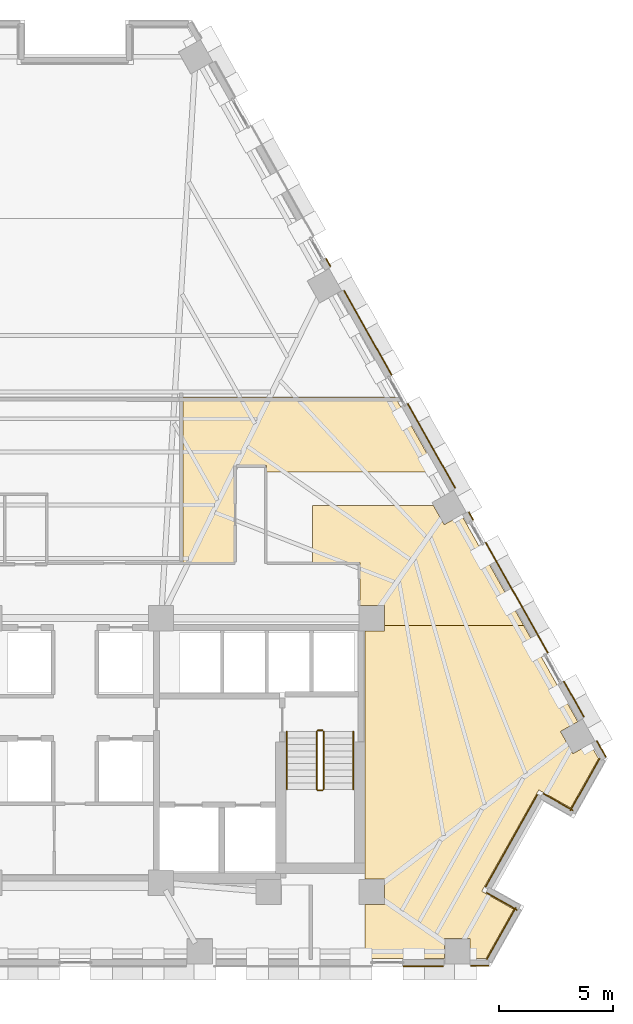
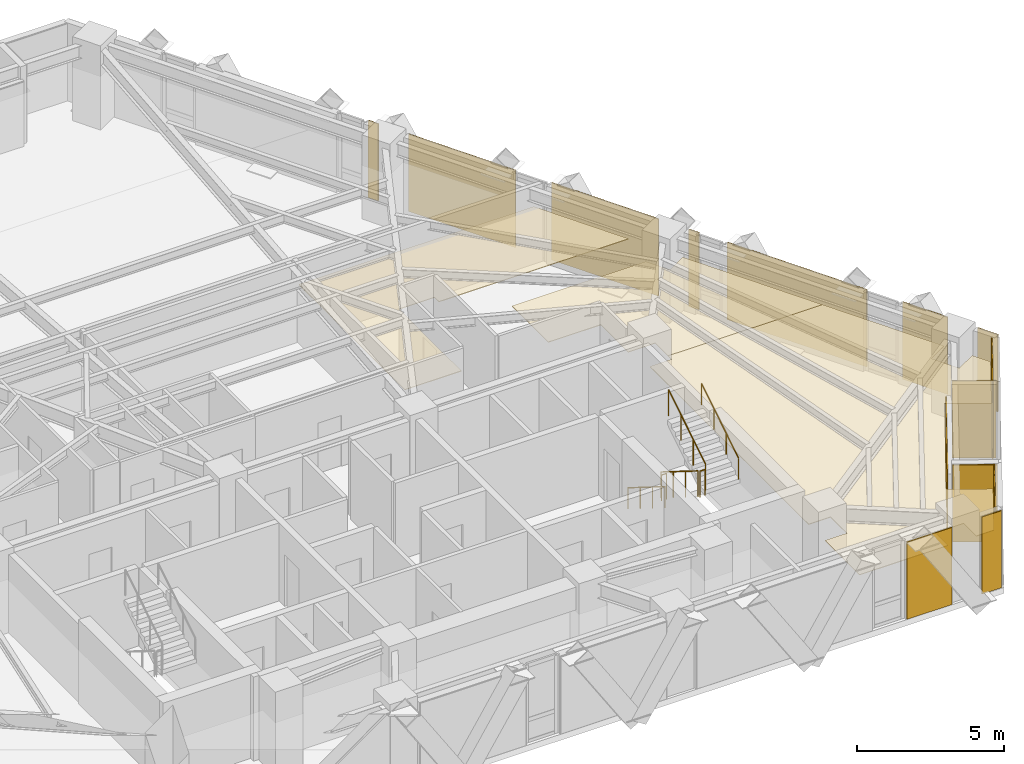
# One storey, part 12 of 13: 17 coverings, 6 railings.
"""IFC4 building model written with IfcOpenShell, lengths in metres."""

from ifc_helpers import new_model, si_unit, direction, frame, origin, origin_2d, place, context, subcontext, project, spatial, polyline, circle, outline, extrude, material, layer, layer_set, type_object, element, save


model = new_model("IFC4")

# Units and contexts
model_context = context("Model", 3, precision=1e-05, world=origin(), true_north=direction((0.0, 1.0)))
body_context = subcontext(model_context, "Body", "Model", "MODEL_VIEW")
ifc_project = project(units=[si_unit("LENGTHUNIT", "METRE"), si_unit("AREAUNIT", "SQUARE_METRE"), si_unit("VOLUMEUNIT", "CUBIC_METRE"), si_unit("PLANEANGLEUNIT", "RADIAN"), si_unit("MASSUNIT", "GRAM", prefix="KILO")], contexts=[model_context])

# Site, building, storey
site_placement = place(None, origin())
site = spatial("IfcSite", under=ifc_project, at=site_placement, CompositionType="ELEMENT")
building_placement = place(site_placement, origin())
building = spatial("IfcBuilding", under=site, at=building_placement, Name="Quenlor Broadcast Tower", CompositionType="ELEMENT")
storey_placement = place(building_placement, frame((0.0, 0.0, 119.5)))
storey = spatial("IfcBuildingStorey", under=building, at=storey_placement, Name="L32", CompositionType="ELEMENT", Elevation=119.5)

# Coverings
ifc_material_1 = material(Name="Acoustic Mineral Fibre Board", Category="other")
ifc_layer_1 = layer(ifc_material_1, 0.02490234375)
ifc_layer_set_1 = layer_set([ifc_layer_1], Name="Acoustic Perforated Mineral Tile Ceiling 25")
covering_type_1 = type_object("IfcCoveringType", Name="Acoustic Perforated Mineral Tile Ceiling 25", PredefinedType="CEILING", material=ifc_layer_set_1)
covering_1_placement = place(storey_placement, frame((0.0, 0.0, 2.22509765625)))
element("IfcCovering", 1, at=covering_1_placement, inside=storey, type_object=covering_type_1, Name="L32 Acoustic Ceiling L32-31", PredefinedType="CEILING", context=body_context, shape_type="SweptSolid", body=[
    extrude(outline(polyline([(6.949951171875, 1.8798828125), (6.949951171875, -2.3701171875), (4.719970703125, -2.3701171875), (4.719970703125, 4.860107421875), (13.976318359375, 4.860107421875), (15.8212890625, 1.580078125), (8.35009765625, 1.580078125), (8.35009765625, 1.8798828125), (6.949951171875, 1.8798828125)])), origin(), (0.0, 0.0, 1.0), 0.02490234375),
])
covering_2_placement = place(storey_placement, frame((0.0, 0.0, 2.22509765625)))
element("IfcCovering", 2, at=covering_2_placement, inside=storey, type_object=covering_type_1, Name="L32 Acoustic Ceiling L32-35", PredefinedType="CEILING", context=body_context, shape_type="SweptSolid", body=[
    extrude(outline(polyline([(13.508056640625, -4.241943359375), (12.43994140625, -4.241943359375), (12.43994140625, -2.3701171875), (10.375, -2.3701171875), (10.375, 0.11474609375), (15.6494140625, 0.11474609375), (16.1171875, -0.717041015625), (16.873779296875, -0.29150390625), (19.58984375, -5.1201171875), (13.508056640625, -5.1201171875), (13.508056640625, -4.241943359375)])), origin(), (0.0, 0.0, 1.0), 0.02490234375),
])
covering_3_placement = place(storey_placement, frame((0.0, 0.0, 2.22509765625)))
element("IfcCovering", 3, at=covering_3_placement, inside=storey, type_object=covering_type_1, Name="L32 Acoustic Ceiling L32-35-2", PredefinedType="CEILING", context=body_context, shape_type="SweptSolid", body=[
    extrude(outline(polyline([(13.508056640625, -5.1201171875), (19.58984375, -5.1201171875), (21.951416015625, -9.318115234375), (21.19482421875, -9.74365234375), (21.741943359375, -10.71630859375), (22.49853515625, -10.290771484375), (22.85693359375, -10.927978515625), (21.64453125, -13.08349609375), (20.25, -12.299072265625), (17.759521484375, -16.7265625), (19.15380859375, -17.510986328125), (17.9453125, -19.659912109375), (17.25048828125, -19.659912109375), (17.25048828125, -18.7919921875), (16.134521484375, -18.7919921875), (16.134521484375, -19.659912109375), (12.64990234375, -19.659912109375), (12.64990234375, -17.30810546875), (13.508056640625, -17.30810546875), (13.508056640625, -16.19189453125), (12.64990234375, -16.19189453125), (12.64990234375, -5.35791015625), (13.508056640625, -5.35791015625), (13.508056640625, -5.1201171875)])), origin(), (0.0, 0.0, 1.0), 0.02490234375),
])
ifc_material_2 = material(Name="Architectural Terracotta Ceramic", Category="masonry")
ifc_layer_2 = layer(ifc_material_2, 0.044921875)
ifc_layer_set_2 = layer_set([ifc_layer_2], Name="Fluted Terracotta Rainscreen Cladding Panel")
covering_type_2 = type_object("IfcCoveringType", Name="Fluted Terracotta Rainscreen Cladding Panel", PredefinedType="CLADDING", material=ifc_layer_set_2)
covering_4_placement = place(storey_placement, frame((0.0, 0.0, 0.02001953125)))
element("IfcCovering", 4, at=covering_4_placement, inside=storey, type_object=covering_type_2, Name="L32 Terracotta Rainscreen Cladding L32-SHD-SS0", PredefinedType="CLADDING", context=body_context, shape_type="SweptSolid", body=[
    extrude(outline(polyline([(18.053955078125, -19.951904296875), (17.277587890625, -19.951904296875), (17.277587890625, -19.9970703125), (18.053955078125, -19.9970703125), (18.053955078125, -19.951904296875)])), origin(), (0.0, 0.0, 1.0), 3.2099609375),
])
covering_5_placement = place(storey_placement, frame((0.0, 0.0, 0.02001953125)))
element("IfcCovering", 5, at=covering_5_placement, inside=storey, type_object=covering_type_2, Name="L32 Terracotta Rainscreen Cladding L32-SA-SP1", PredefinedType="CLADDING", context=body_context, shape_type="SweptSolid", body=[
    extrude(outline(polyline([(16.08740234375, -19.971923828125), (14.32177734375, -19.971923828125), (14.32177734375, -20.01708984375), (16.08740234375, -20.01708984375), (16.08740234375, -19.971923828125)])), origin(), (0.0, 0.0, 1.0), 3.2099609375),
])
covering_6_placement = place(storey_placement, frame((0.0, 0.0, 0.02001953125)))
element("IfcCovering", 6, at=covering_6_placement, inside=storey, type_object=covering_type_2, Name="L32 Terracotta Rainscreen Cladding L32-SHD-NES1", PredefinedType="CLADDING", context=body_context, shape_type="SweptSolid", body=[
    extrude(outline(polyline([(22.76611328125, -10.171142578125), (23.160888671875, -10.873046875), (23.2001953125, -10.85107421875), (22.805419921875, -10.149169921875), (22.76611328125, -10.171142578125)])), origin(), (0.0, 0.0, 1.0), 3.2099609375),
])
covering_7_placement = place(storey_placement, frame((0.0, 0.0, 0.02001953125)))
element("IfcCovering", 7, at=covering_7_placement, inside=storey, type_object=covering_type_2, Name="L32 Terracotta Rainscreen Cladding L32-NEA-SP3", PredefinedType="CLADDING", context=body_context, shape_type="SweptSolid", body=[
    extrude(outline(polyline([(10.936279296875, 10.900634765625), (11.13232421875, 10.552001953125), (11.171630859375, 10.57421875), (10.9755859375, 10.922607421875), (10.936279296875, 10.900634765625)])), origin(), (0.0, 0.0, 1.0), 3.2099609375),
])
covering_8_placement = place(storey_placement, frame((0.0, 0.0, 0.02001953125)))
element("IfcCovering", 8, at=covering_8_placement, inside=storey, type_object=covering_type_2, Name="L32 Terracotta Rainscreen Cladding L32-NEC-SP1", PredefinedType="CLADDING", context=body_context, shape_type="SweptSolid", body=[
    extrude(outline(polyline([(17.168701171875, -0.179443359375), (17.36474609375, -0.528076171875), (17.404052734375, -0.506103515625), (17.2080078125, -0.157470703125), (17.168701171875, -0.179443359375)])), origin(), (0.0, 0.0, 1.0), 3.2099609375),
])
covering_9_placement = place(storey_placement, frame((0.0, 0.0, 0.02001953125)))
element("IfcCovering", 9, at=covering_9_placement, inside=storey, type_object=covering_type_2, Name="L32 Terracotta Rainscreen Cladding L32-NEC-SP2", PredefinedType="CLADDING", context=body_context, shape_type="SweptSolid", body=[
    extrude(outline(polyline([(17.912841796875, -1.502197265625), (20.62744140625, -6.328369140625), (20.666748046875, -6.306396484375), (17.951904296875, -1.47998046875), (17.912841796875, -1.502197265625)])), origin(), (0.0, 0.0, 1.0), 3.2099609375),
])
covering_10_placement = place(storey_placement, frame((0.0, 0.0, 0.02001953125)))
element("IfcCovering", 10, at=covering_10_placement, inside=storey, type_object=covering_type_2, Name="L32 Terracotta Rainscreen Cladding L32-NEC-SP3", PredefinedType="CLADDING", context=body_context, shape_type="SweptSolid", body=[
    extrude(outline(polyline([(21.325927734375, -7.56982421875), (22.2001953125, -9.1240234375), (22.239501953125, -9.10205078125), (21.364990234375, -7.5478515625), (21.325927734375, -7.56982421875)])), origin(), (0.0, 0.0, 1.0), 3.2099609375),
])
covering_11_placement = place(storey_placement, frame((0.0, 0.0, 0.02001953125)))
element("IfcCovering", 11, at=covering_11_placement, inside=storey, type_object=covering_type_2, Name="L32 Terracotta Rainscreen Cladding L32-NE-SP1", PredefinedType="CLADDING", context=body_context, shape_type="SweptSolid", body=[
    extrude(outline(polyline([(11.72314453125, 9.501708984375), (13.801513671875, 5.806884765625), (13.8408203125, 5.8291015625), (11.76220703125, 9.523681640625), (11.72314453125, 9.501708984375)])), origin(), (0.0, 0.0, 1.0), 3.2099609375),
])
covering_12_placement = place(storey_placement, frame((0.0, 0.0, 0.02001953125)))
element("IfcCovering", 12, at=covering_12_placement, inside=storey, type_object=covering_type_2, Name="L32 Terracotta Rainscreen Cladding L32-NE-SP2", PredefinedType="CLADDING", context=body_context, shape_type="SweptSolid", body=[
    extrude(outline(polyline([(14.499755859375, 4.565673828125), (16.577880859375, 0.870849609375), (16.6171875, 0.892822265625), (14.538818359375, 4.587646484375), (14.499755859375, 4.565673828125)])), origin(), (0.0, 0.0, 1.0), 3.2099609375),
])
covering_13_placement = place(storey_placement, frame((0.0, 0.0, 0.02001953125)))
element("IfcCovering", 13, at=covering_13_placement, inside=storey, type_object=covering_type_2, Name="L32 Terracotta Rainscreen Cladding L32-CNR-01", PredefinedType="CLADDING", context=body_context, shape_type="SweptSolid", body=[
    extrude(outline(polyline([(19.31787109375, -17.525390625), (17.9755859375, -16.770263671875), (17.95361328125, -16.8095703125), (19.2958984375, -17.564697265625), (19.31787109375, -17.525390625)])), origin(), (0.0, 0.0, 1.0), 3.2099609375),
])
covering_14_placement = place(storey_placement, frame((0.0, 0.0, 0.02001953125)))
element("IfcCovering", 14, at=covering_14_placement, inside=storey, type_object=covering_type_2, Name="L32 Terracotta Rainscreen Cladding L32-CNR-02", PredefinedType="CLADDING", context=body_context, shape_type="SweptSolid", body=[
    extrude(outline(polyline([(17.941162109375, -16.5419921875), (20.206298828125, -12.515380859375), (20.1669921875, -12.493408203125), (17.902099609375, -16.52001953125), (17.941162109375, -16.5419921875)])), origin(), (0.0, 0.0, 1.0), 2.681884765625),
])
covering_15_placement = place(storey_placement, frame((0.0, 0.0, 0.02001953125)))
element("IfcCovering", 15, at=covering_15_placement, inside=storey, type_object=covering_type_2, Name="L32 Terracotta Rainscreen Cladding L32-CNR-03", PredefinedType="CLADDING", context=body_context, shape_type="SweptSolid", body=[
    extrude(outline(polyline([(20.4345703125, -12.48095703125), (21.741943359375, -13.21630859375), (21.763916015625, -13.177001953125), (20.45654296875, -12.441650390625), (20.4345703125, -12.48095703125)])), origin(), (0.0, 0.0, 1.0), 3.2099609375),
])
covering_16_placement = place(storey_placement, frame((0.0, 0.0, 0.02001953125)))
element("IfcCovering", 16, at=covering_16_placement, inside=storey, type_object=covering_type_2, Name="L32 Terracotta Rainscreen Cladding L32-CNR-04", PredefinedType="CLADDING", context=body_context, shape_type="SweptSolid", body=[
    extrude(outline(polyline([(21.64990234375, -13.212646484375), (22.926513671875, -10.94287109375), (22.887451171875, -10.9208984375), (21.610595703125, -13.190673828125), (21.64990234375, -13.212646484375)])), origin(), (0.0, 0.0, 1.0), 3.2099609375),
])
covering_17_placement = place(storey_placement, frame((0.0, 0.0, 0.02001953125)))
element("IfcCovering", 17, at=covering_17_placement, inside=storey, type_object=covering_type_2, Name="L32 Terracotta Rainscreen Cladding L32-CNR-18", PredefinedType="CLADDING", context=body_context, shape_type="SweptSolid", body=[
    extrude(outline(polyline([(17.991943359375, -19.71533203125), (19.26708984375, -17.448486328125), (19.227783203125, -17.426513671875), (17.952880859375, -19.693359375), (17.991943359375, -19.71533203125)])), origin(), (0.0, 0.0, 1.0), 3.2099609375),
])

# Railings
ifc_material_3 = material(Name="Anodised Aluminium", Category="aluminium")
railing_type_1 = type_object("IfcRailingType", Name="Stainless Aluminium Wall Handrail 900", PredefinedType="HANDRAIL", material=ifc_material_3)
railing_1_placement = place(storey_placement, frame((9.25, -9.75, 0.175048828125)))
element("IfcRailing", 18, at=railing_1_placement, inside=storey, type_object=railing_type_1, Name="L32 ST-2 stair handrail 1", PredefinedType="HANDRAIL", context=body_context, shape_type="SweptSolid", body=[
    extrude(circle(Radius=0.02392578125, at=origin_2d()), frame((0.0, 0.0, 0.8759765625), z_axis=(0.0, -0.848007534815, 0.529984170421), x_axis=(1.0, 0.0, 0.0)), (0.0, 0.0, 1.0), 2.9716796875),
    extrude(circle(Radius=0.02099609375, at=origin_2d()), origin(), (0.0, 0.0, 1.0), 0.851806640625),
    extrude(circle(Radius=0.02099609375, at=origin_2d()), frame((0.0, -0.840087890625, 0.52490234375)), (0.0, 0.0, 1.0), 0.851806640625),
    extrude(circle(Radius=0.02099609375, at=origin_2d()), frame((0.0, -1.679931640625, 1.050048828125)), (0.0, 0.0, 1.0), 0.851806640625),
    extrude(circle(Radius=0.02099609375, at=origin_2d()), frame((0.0, -2.52001953125, 1.574951171875)), (0.0, 0.0, 1.0), 0.851806640625),
])
railing_2_placement = place(storey_placement, frame((12.14990234375, -12.27001953125, 1.925048828125)))
element("IfcRailing", 19, at=railing_2_placement, inside=storey, type_object=railing_type_1, Name="L32 ST-2 stair handrail 2", PredefinedType="HANDRAIL", context=body_context, shape_type="SweptSolid", body=[
    extrude(circle(Radius=0.02392578125, at=origin_2d()), frame((0.0, 0.0, 0.8759765625), z_axis=(0.0, 0.848007534815, 0.529984170421), x_axis=(-1.0, 0.0, 0.0)), (0.0, 0.0, 1.0), 2.9716796875),
    extrude(circle(Radius=0.02099609375, at=origin_2d()), origin(), (0.0, 0.0, 1.0), 0.851806640625),
    extrude(circle(Radius=0.02099609375, at=origin_2d()), frame((0.0, 0.840087890625, 0.52490234375)), (0.0, 0.0, 1.0), 0.851806640625),
    extrude(circle(Radius=0.02099609375, at=origin_2d()), frame((0.0, 1.679931640625, 1.050048828125)), (0.0, 0.0, 1.0), 0.851806640625),
    extrude(circle(Radius=0.02099609375, at=origin_2d()), frame((0.0, 2.52001953125, 1.574951171875)), (0.0, 0.0, 1.0), 0.851806640625),
])
ifc_material_4 = material(Name="Steel S355", Category="steel")
railing_type_2 = type_object("IfcRailingType", Name="Tubular Steel S355 Stair Guardrail 1100", PredefinedType="BALUSTRADE", material=ifc_material_4)
railing_3_placement = place(storey_placement, frame((10.550048828125, -9.75, 0.175048828125)))
element("IfcRailing", 20, at=railing_3_placement, inside=storey, type_object=railing_type_2, Name="L32 ST-2 stair guard 1", PredefinedType="BALUSTRADE", context=body_context, shape_type="SweptSolid", body=[
    extrude(circle(Radius=0.02392578125, at=origin_2d()), frame((0.0, 0.0, 1.076171875), z_axis=(0.0, -0.848007534815, 0.529984170421), x_axis=(1.0, 0.0, 0.0)), (0.0, 0.0, 1.0), 2.9716796875),
    extrude(circle(Radius=0.02099609375, at=origin_2d()), origin(), (0.0, 0.0, 1.0), 1.052001953125),
    extrude(circle(Radius=0.02099609375, at=origin_2d()), frame((0.0, -0.840087890625, 0.52490234375)), (0.0, 0.0, 1.0), 1.052001953125),
    extrude(circle(Radius=0.02099609375, at=origin_2d()), frame((0.0, -1.679931640625, 1.050048828125)), (0.0, 0.0, 1.0), 1.052001953125),
    extrude(circle(Radius=0.02099609375, at=origin_2d()), frame((0.0, -2.52001953125, 1.574951171875)), (0.0, 0.0, 1.0), 1.052001953125),
])
railing_4_placement = place(storey_placement, frame((10.60009765625, -12.320068359375, 1.75)))
element("IfcRailing", 21, at=railing_4_placement, inside=storey, type_object=railing_type_2, Name="L32 ST-2 stair guard 2", PredefinedType="BALUSTRADE", context=body_context, shape_type="SweptSolid", body=[
    extrude(circle(Radius=0.02392578125, at=origin_2d()), frame((0.0, 0.0, 1.076171875), z_axis=(1.0, 0.0, 0.0), x_axis=(0.0, 1.0, 0.0)), (0.0, 0.0, 1.0), 0.199951171875),
    extrude(circle(Radius=0.02099609375, at=origin_2d()), origin(), (0.0, 0.0, 1.0), 1.052001953125),
    extrude(circle(Radius=0.02099609375, at=origin_2d()), frame((0.199951171875, 0.0, 0.0)), (0.0, 0.0, 1.0), 1.052001953125),
])
railing_5_placement = place(storey_placement, frame((10.85009765625, -12.27001953125, 1.925048828125)))
element("IfcRailing", 22, at=railing_5_placement, inside=storey, type_object=railing_type_2, Name="L32 ST-2 stair guard 3", PredefinedType="BALUSTRADE", context=body_context, shape_type="SweptSolid", body=[
    extrude(circle(Radius=0.02392578125, at=origin_2d()), frame((0.0, 0.0, 1.076171875), z_axis=(0.0, 0.848007534815, 0.529984170421), x_axis=(-1.0, 0.0, 0.0)), (0.0, 0.0, 1.0), 2.9716796875),
    extrude(circle(Radius=0.02099609375, at=origin_2d()), origin(), (0.0, 0.0, 1.0), 1.052001953125),
    extrude(circle(Radius=0.02099609375, at=origin_2d()), frame((0.0, 0.840087890625, 0.52490234375)), (0.0, 0.0, 1.0), 1.052001953125),
    extrude(circle(Radius=0.02099609375, at=origin_2d()), frame((0.0, 1.679931640625, 1.050048828125)), (0.0, 0.0, 1.0), 1.052001953125),
    extrude(circle(Radius=0.02099609375, at=origin_2d()), frame((0.0, 2.52001953125, 1.574951171875)), (0.0, 0.0, 1.0), 1.052001953125),
])
railing_6_placement = place(storey_placement, frame((10.60009765625, -9.699951171875, 0.0)))
element("IfcRailing", 23, at=railing_6_placement, inside=storey, type_object=railing_type_2, Name="L32 ST-2 stair guard 4", PredefinedType="BALUSTRADE", context=body_context, shape_type="SweptSolid", body=[
    extrude(circle(Radius=0.02392578125, at=origin_2d()), frame((0.0, 0.0, 1.076171875), z_axis=(1.0, 0.0, 0.0), x_axis=(0.0, 1.0, 0.0)), (0.0, 0.0, 1.0), 0.199951171875),
    extrude(circle(Radius=0.02099609375, at=origin_2d()), origin(), (0.0, 0.0, 1.0), 1.052001953125),
    extrude(circle(Radius=0.02099609375, at=origin_2d()), frame((0.199951171875, 0.0, 0.0)), (0.0, 0.0, 1.0), 1.052001953125),
])

save(model, "model.ifc")
